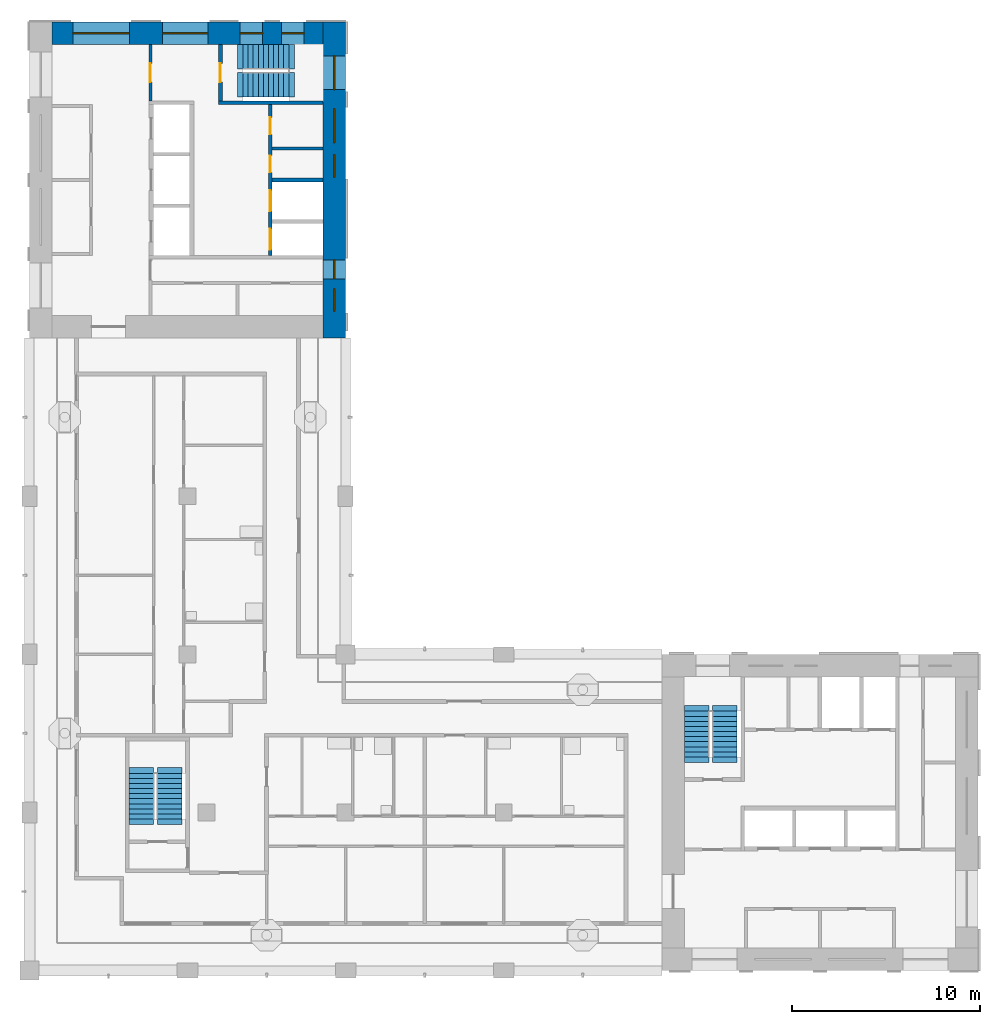
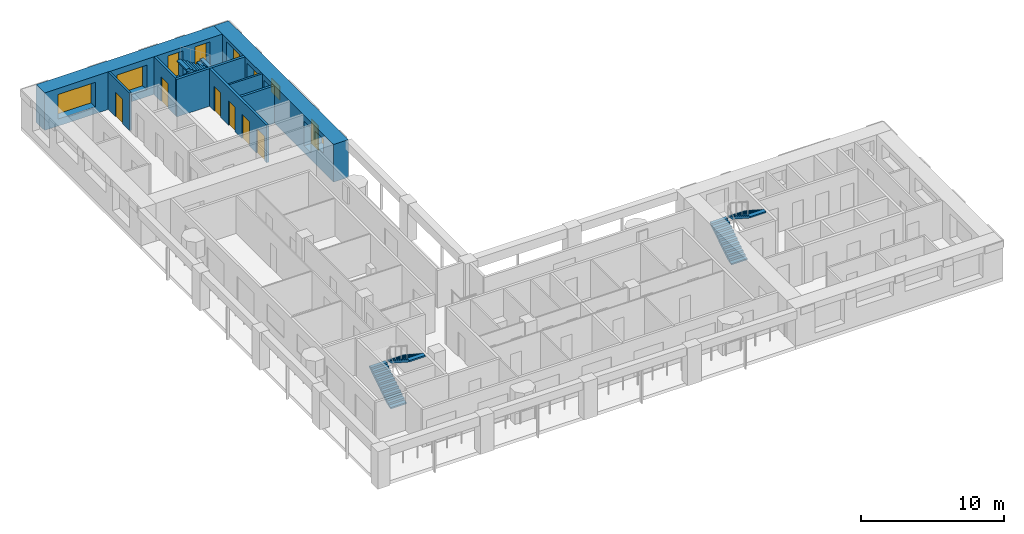
# One storey, part 6 of 11: 9 windows, 8 walls, 6 doors, 6 stair flights, 15 openings, 3 elements without a shape of their own.
"""IFC4 building model written with IfcOpenShell, lengths in metres."""

from ifc_helpers import new_model, si_unit, direction, frame, frame_2d, origin, place, context, subcontext, project, spatial, polyline, rectangle, outline, extrude, material, layer, layer_set, type_object, element, fill, aggregate, save


model = new_model("IFC4")

# Units and contexts
model_context = context("Model", 3, precision=1e-05, world=origin(), true_north=direction((0.0, 1.0)))
body_context = subcontext(model_context, "Body", "Model", "MODEL_VIEW")
ifc_project = project(units=[si_unit("LENGTHUNIT", "METRE"), si_unit("AREAUNIT", "SQUARE_METRE"), si_unit("VOLUMEUNIT", "CUBIC_METRE"), si_unit("PLANEANGLEUNIT", "RADIAN"), si_unit("MASSUNIT", "GRAM", prefix="KILO")], contexts=[model_context])

# Site, building, storey
site_placement = place(None, origin())
site = spatial("IfcSite", under=ifc_project, at=site_placement, CompositionType="ELEMENT")
building_placement = place(site_placement, origin())
building = spatial("IfcBuilding", under=site, at=building_placement, Name="Vermilion Gate Residences", CompositionType="ELEMENT")
storey_placement = place(building_placement, frame((0.0, 0.0, 256.199951171875)))
storey = spatial("IfcBuildingStorey", under=building, at=storey_placement, Name="L67", CompositionType="ELEMENT", Elevation=256.199951171875)

# Wall
ifc_material_1 = material(Name="Masonry blockwork", Category="masonry")
ifc_layer_1 = layer(ifc_material_1, 0.14990234375)
ifc_layer_set_1 = layer_set([ifc_layer_1], Name="BLOCKWORK PARTITION 150 EI 120")
wall_type_1 = type_object("IfcWallType", Name="BLOCKWORK PARTITION 150 EI 120", PredefinedType="PARTITIONING", material=ifc_layer_set_1)
wall_1_placement = place(storey_placement, frame((21.300048828125, 52.074951171875, 0.0), z_axis=(0.0, 0.0, 1.0), x_axis=(1.0, 0.0, 0.0)))
element("IfcWall", 1, at=wall_1_placement, inside=storey, type_object=wall_type_1, Name="Core room partition B67-NR-P0", PredefinedType="PARTITIONING", context=body_context, shape_type="SweptSolid", body=[
    extrude(rectangle(XDim=2.699951171875, YDim=0.14990234375, at=frame_2d((1.35009765625, 0.0))), origin(), (0.0, 0.0, 1.0), 3.219970703125),
])

# Wall, opening, door
wall_2_placement = place(storey_placement, frame((14.824951171875, 57.60009765625, 0.0), z_axis=(0.0, 0.0, 1.0), x_axis=(0.0, -1.0, 0.0)))
wall_2 = element("IfcWall", 2, at=wall_2_placement, inside=storey, type_object=wall_type_1, Name="Core room partition B67-VW-S", PredefinedType="PARTITIONING", context=body_context, shape_type="SweptSolid", body=[
    extrude(rectangle(XDim=3.0, YDim=0.14990234375, at=frame_2d((1.5, 0.0))), origin(), (0.0, 0.0, 1.0), 3.219970703125),
])
opening_1_placement = place(wall_2_placement, frame((1.0, 0.0, 0.0)))
opening_1 = element("IfcOpeningElement", 3, at=opening_1_placement, cuts=wall_2, Name="Opening DK67111", PredefinedType="OPENING", context=body_context, shape_type="SweptSolid", body=[
    extrude(rectangle(XDim=1.0, YDim=2.10009765625, at=frame_2d((0.5, 1.050048828125))), frame((0.0, 0.0849609375, 0.0), z_axis=(0.0, -1.0, 0.0), x_axis=(1.0, 0.0, 0.0)), (0.0, 0.0, 1.0), 0.169921875),
])
ifc_material_2 = material(Name="Steel", Category="steel")
door_type_1 = type_object("IfcDoorType", Name="FIRE DOOR FD60 1000 X 2100", OperationType="SINGLE_SWING_LEFT", PredefinedType="DOOR", material=ifc_material_2)
door_1_placement = place(opening_1_placement, frame((1.0, 0.0, 0.0), z_axis=(0.0, 0.0, 1.0), x_axis=(-1.0, 0.0, 0.0)))
door_1 = element("IfcDoor", 4, at=door_1_placement, inside=storey, type_object=door_type_1, Name="Stair vestibule door B67", OperationType="SINGLE_SWING_RIGHT", OverallHeight=2.10009765625, OverallWidth=1.0, PredefinedType="DOOR", context=body_context, shape_type="SweptSolid", body=[
    extrude(rectangle(XDim=1.0, YDim=2.10009765625, at=frame_2d((0.5, 1.050048828125))), frame((0.0, 0.02490234375, 0.0), z_axis=(0.0, -1.0, 0.0), x_axis=(1.0, 0.0, 0.0)), (0.0, 0.0, 1.0), 0.050048828125),
])
fill(opening_1, door_1)

# Wall
ifc_material_3 = material(Name="Concrete C60", Category="concrete")
ifc_layer_2 = layer(ifc_material_3, 0.199951171875)
ifc_layer_set_2 = layer_set([ifc_layer_2], Name="RC CORE INTERNAL WALL 200 C60")
wall_type_2 = type_object("IfcWallType", Name="RC CORE INTERNAL WALL 200 C60", PredefinedType="SHEAR", material=ifc_layer_set_2)
wall_3_placement = place(storey_placement, frame((21.300048828125, 50.39990234375, 0.0), z_axis=(0.0, 0.0, 1.0), x_axis=(1.0, 0.0, 0.0)))
element("IfcWall", 5, at=wall_3_placement, inside=storey, type_object=wall_type_2, Name="Core internal wall B67-FF-D0", PredefinedType="SHEAR", context=body_context, shape_type="SweptSolid", body=[
    extrude(rectangle(XDim=2.699951171875, YDim=0.199951171875, at=frame_2d((1.35009765625, 0.0))), origin(), (0.0, 0.0, 1.0), 3.219970703125),
])

# Wall, openings, doors
wall_4_placement = place(storey_placement, frame((21.199951171875, 54.39990234375, 0.0), z_axis=(0.0, 0.0, 1.0), x_axis=(0.0, -1.0, 0.0)))
wall_4 = element("IfcWall", 6, at=wall_4_placement, inside=storey, type_object=wall_type_2, Name="Core internal wall B67-FF-F", PredefinedType="SHEAR", context=body_context, shape_type="SweptSolid", body=[
    extrude(rectangle(XDim=8.0, YDim=0.199951171875, at=frame_2d((4.0, 0.0))), origin(), (0.0, 0.0, 1.0), 3.219970703125),
])
opening_2_placement = place(wall_4_placement, frame((0.675048828125, 0.0, 0.0)))
opening_2 = element("IfcOpeningElement", 7, at=opening_2_placement, cuts=wall_4, Name="Opening DK67107", PredefinedType="OPENING", context=body_context, shape_type="SweptSolid", body=[
    extrude(rectangle(XDim=0.89990234375, YDim=2.10009765625, at=frame_2d((0.449951171875, 1.050048828125))), frame((0.0, 0.10986328125, 0.0), z_axis=(0.0, -1.0, 0.0), x_axis=(1.0, 0.0, 0.0)), (0.0, 0.0, 1.0), 0.219970703125),
])
opening_3_placement = place(wall_4_placement, frame((2.699951171875, 0.0, 0.0)))
opening_3 = element("IfcOpeningElement", 8, at=opening_3_placement, cuts=wall_4, Name="Opening DK67108", PredefinedType="OPENING", context=body_context, shape_type="SweptSolid", body=[
    extrude(rectangle(XDim=0.89990234375, YDim=2.10009765625, at=frame_2d((0.449951171875, 1.050048828125))), frame((0.0, 0.10986328125, 0.0), z_axis=(0.0, -1.0, 0.0), x_axis=(1.0, 0.0, 0.0)), (0.0, 0.0, 1.0), 0.219970703125),
])
opening_4_placement = place(wall_4_placement, frame((4.550048828125, 0.0, 0.0)))
opening_4 = element("IfcOpeningElement", 9, at=opening_4_placement, cuts=wall_4, Name="Opening LD", PredefinedType="OPENING", context=body_context, shape_type="SweptSolid", body=[
    extrude(rectangle(XDim=1.10009765625, YDim=2.10009765625, at=frame_2d((0.550048828125, 1.050048828125))), frame((0.0, 0.10986328125, 0.0), z_axis=(0.0, -1.0, 0.0), x_axis=(1.0, 0.0, 0.0)), (0.0, 0.0, 1.0), 0.219970703125),
])
opening_5_placement = place(wall_4_placement, frame((6.60009765625, 0.0, 0.0)))
opening_5 = element("IfcOpeningElement", 10, at=opening_5_placement, cuts=wall_4, Name="Opening LD", PredefinedType="OPENING", context=body_context, shape_type="SweptSolid", body=[
    extrude(rectangle(XDim=1.10009765625, YDim=2.10009765625, at=frame_2d((0.550048828125, 1.050048828125))), frame((0.0, 0.10986328125, 0.0), z_axis=(0.0, -1.0, 0.0), x_axis=(1.0, 0.0, 0.0)), (0.0, 0.0, 1.0), 0.219970703125),
])
ifc_material_4 = material(Name="Stainless steel", Category="steel")
door_type_2 = type_object("IfcDoorType", Name="LIFT LANDING DOOR E60 1100 X 2100", OperationType="DOUBLE_DOOR_SLIDING", PredefinedType="DOOR", material=ifc_material_4)
door_2_placement = place(opening_4_placement, origin())
door_2 = element("IfcDoor", 11, at=door_2_placement, inside=storey, type_object=door_type_2, Name="Lift landing door LFB1", OperationType="DOUBLE_DOOR_SLIDING", OverallHeight=2.10009765625, OverallWidth=1.10009765625, PredefinedType="DOOR", context=body_context, shape_type="SweptSolid", body=[
    extrude(rectangle(XDim=1.10009765625, YDim=2.10009765625, at=frame_2d((0.550048828125, 1.050048828125))), frame((0.0, 0.02490234375, 0.0), z_axis=(0.0, -1.0, 0.0), x_axis=(1.0, 0.0, 0.0)), (0.0, 0.0, 1.0), 0.050048828125),
])
fill(opening_4, door_2)
door_3_placement = place(opening_5_placement, origin())
door_3 = element("IfcDoor", 12, at=door_3_placement, inside=storey, type_object=door_type_2, Name="Lift landing door LCB1", OperationType="DOUBLE_DOOR_SLIDING", OverallHeight=2.10009765625, OverallWidth=1.10009765625, PredefinedType="DOOR", context=body_context, shape_type="SweptSolid", body=[
    extrude(rectangle(XDim=1.10009765625, YDim=2.10009765625, at=frame_2d((0.550048828125, 1.050048828125))), frame((0.0, 0.02490234375, 0.0), z_axis=(0.0, -1.0, 0.0), x_axis=(1.0, 0.0, 0.0)), (0.0, 0.0, 1.0), 0.050048828125),
])
fill(opening_5, door_3)
ifc_material_5 = material(Name="Steel", Category="steel")
door_type_3 = type_object("IfcDoorType", Name="SERVICE ROOM DOOR FD60 900 X 2100", OperationType="SINGLE_SWING_LEFT", PredefinedType="DOOR", material=ifc_material_5)
door_4_placement = place(opening_2_placement, origin())
door_4 = element("IfcDoor", 13, at=door_4_placement, inside=storey, type_object=door_type_3, Name="Parcel room B67", OperationType="SINGLE_SWING_RIGHT", OverallHeight=2.10009765625, OverallWidth=0.89990234375, PredefinedType="DOOR", context=body_context, shape_type="SweptSolid", body=[
    extrude(rectangle(XDim=0.89990234375, YDim=2.10009765625, at=frame_2d((0.449951171875, 1.050048828125))), frame((0.0, 0.02490234375, 0.0), z_axis=(0.0, -1.0, 0.0), x_axis=(1.0, 0.0, 0.0)), (0.0, 0.0, 1.0), 0.050048828125),
])
fill(opening_2, door_4)
door_5_placement = place(opening_3_placement, frame((0.89990234375, 0.0, 0.0), z_axis=(0.0, 0.0, 1.0), x_axis=(-1.0, 0.0, 0.0)))
door_5 = element("IfcDoor", 14, at=door_5_placement, inside=storey, type_object=door_type_3, Name="Electrical room B67", OperationType="SINGLE_SWING_RIGHT", OverallHeight=2.10009765625, OverallWidth=0.89990234375, PredefinedType="DOOR", context=body_context, shape_type="SweptSolid", body=[
    extrude(rectangle(XDim=0.89990234375, YDim=2.10009765625, at=frame_2d((0.449951171875, 1.050048828125))), frame((0.0, 0.02490234375, 0.0), z_axis=(0.0, -1.0, 0.0), x_axis=(1.0, 0.0, 0.0)), (0.0, 0.0, 1.0), 0.050048828125),
])
fill(opening_3, door_5)

# Wall
wall_5_placement = place(storey_placement, frame((18.449951171875, 54.5, 0.0), z_axis=(0.0, 0.0, 1.0), x_axis=(1.0, 0.0, 0.0)))
element("IfcWall", 15, at=wall_5_placement, inside=storey, type_object=wall_type_2, Name="Core internal wall B67-WDIV2", PredefinedType="SHEAR", context=body_context, shape_type="SweptSolid", body=[
    extrude(rectangle(XDim=5.550048828125, YDim=0.199951171875, at=frame_2d((2.77490234375, 0.0))), origin(), (0.0, 0.0, 1.0), 3.219970703125),
])

# Wall, opening, door
wall_6_placement = place(storey_placement, frame((18.550048828125, 57.60009765625, 0.0), z_axis=(0.0, 0.0, 1.0), x_axis=(0.0, -1.0, 0.0)))
wall_6 = element("IfcWall", 16, at=wall_6_placement, inside=storey, type_object=wall_type_2, Name="Core internal wall B67-STW-S", PredefinedType="SHEAR", context=body_context, shape_type="SweptSolid", body=[
    extrude(rectangle(XDim=3.0, YDim=0.199951171875, at=frame_2d((1.5, 0.0))), origin(), (0.0, 0.0, 1.0), 3.219970703125),
])
opening_6_placement = place(wall_6_placement, frame((1.0, 0.0, 0.0)))
opening_6 = element("IfcOpeningElement", 17, at=opening_6_placement, cuts=wall_6, Name="Opening DK67112", PredefinedType="OPENING", context=body_context, shape_type="SweptSolid", body=[
    extrude(rectangle(XDim=1.0, YDim=2.10009765625, at=frame_2d((0.5, 1.050048828125))), frame((0.0, 0.10986328125, 0.0), z_axis=(0.0, -1.0, 0.0), x_axis=(1.0, 0.0, 0.0)), (0.0, 0.0, 1.0), 0.219970703125),
])
door_6_placement = place(opening_6_placement, origin())
door_6 = element("IfcDoor", 18, at=door_6_placement, inside=storey, type_object=door_type_1, Name="Stair door B67", OperationType="SINGLE_SWING_LEFT", OverallHeight=2.10009765625, OverallWidth=1.0, PredefinedType="DOOR", context=body_context, shape_type="SweptSolid", body=[
    extrude(rectangle(XDim=1.0, YDim=2.10009765625, at=frame_2d((0.5, 1.050048828125))), frame((0.0, 0.02490234375, 0.0), z_axis=(0.0, -1.0, 0.0), x_axis=(1.0, 0.0, 0.0)), (0.0, 0.0, 1.0), 0.050048828125),
])
fill(opening_6, door_6)

# Wall, openings, windows
ifc_material_6 = material(Name="Concrete C50 red-oxide pigmented", Category="concrete")
ifc_layer_3 = layer(ifc_material_6, 1.199951171875)
ifc_layer_set_3 = layer_set([ifc_layer_3], Name="RC CORE WALL 1200 C50 RED OXIDE")
wall_type_3 = type_object("IfcWallType", Name="RC CORE WALL 1200 C50 RED OXIDE", PredefinedType="SHEAR", material=ifc_layer_set_3)
wall_7_placement = place(storey_placement, frame((24.60009765625, 58.800048828125, 0.0), z_axis=(0.0, 0.0, 1.0), x_axis=(0.0, -1.0, 0.0)))
wall_7 = element("IfcWall", 19, at=wall_7_placement, inside=storey, type_object=wall_type_3, Name="Core wall B67-OUT-B1", PredefinedType="SHEAR", context=body_context, shape_type="SweptSolid", body=[
    extrude(rectangle(XDim=16.800048828125, YDim=1.199951171875, at=frame_2d((8.39990234375, 0.0))), origin(), (0.0, 0.0, 1.0), 3.219970703125),
])
opening_7_placement = place(wall_7_placement, frame((1.800048828125, 0.0, 0.5)))
opening_7 = element("IfcOpeningElement", 20, at=opening_7_placement, cuts=wall_7, Name="Opening WKB6705", PredefinedType="OPENING", context=body_context, shape_type="SweptSolid", body=[
    extrude(rectangle(XDim=1.800048828125, YDim=2.39990234375, at=frame_2d((0.89990234375, 1.199951171875))), frame((0.0, 0.60986328125, 0.0), z_axis=(0.0, -1.0, 0.0), x_axis=(1.0, 0.0, 0.0)), (0.0, 0.0, 1.0), 1.219970703125),
])
opening_8_placement = place(wall_7_placement, frame((4.625, 0.0, 1.60009765625)))
opening_8 = element("IfcOpeningElement", 21, at=opening_8_placement, cuts=wall_7, Name="Opening WKB6706", PredefinedType="OPENING", context=body_context, shape_type="SweptSolid", body=[
    extrude(rectangle(XDim=1.800048828125, YDim=1.199951171875, at=frame_2d((0.89990234375, 0.60009765625))), frame((0.0, 0.60986328125, 0.0), z_axis=(0.0, -1.0, 0.0), x_axis=(1.0, 0.0, 0.0)), (0.0, 0.0, 1.0), 1.219970703125),
])
opening_9_placement = place(wall_7_placement, frame((7.050048828125, 0.0, 1.60009765625)))
opening_9 = element("IfcOpeningElement", 22, at=opening_9_placement, cuts=wall_7, Name="Opening WKB6707", PredefinedType="OPENING", context=body_context, shape_type="SweptSolid", body=[
    extrude(rectangle(XDim=1.199951171875, YDim=1.199951171875, at=frame_2d((0.60009765625, 0.60009765625))), frame((0.0, 0.60986328125, 0.0), z_axis=(0.0, -1.0, 0.0), x_axis=(1.0, 0.0, 0.0)), (0.0, 0.0, 1.0), 1.219970703125),
])
opening_10_placement = place(wall_7_placement, frame((12.64990234375, 0.0, 0.60009765625)))
opening_10 = element("IfcOpeningElement", 23, at=opening_10_placement, cuts=wall_7, Name="Opening WKB6708", PredefinedType="OPENING", context=body_context, shape_type="SweptSolid", body=[
    extrude(rectangle(XDim=1.0, YDim=2.10009765625, at=frame_2d((0.5, 1.050048828125))), frame((0.0, 0.60986328125, 0.0), z_axis=(0.0, -1.0, 0.0), x_axis=(1.0, 0.0, 0.0)), (0.0, 0.0, 1.0), 1.219970703125),
])
opening_11_placement = place(wall_7_placement, frame((14.175048828125, 0.0, 1.60009765625)))
opening_11 = element("IfcOpeningElement", 24, at=opening_11_placement, cuts=wall_7, Name="Opening WKB6709", PredefinedType="OPENING", context=body_context, shape_type="SweptSolid", body=[
    extrude(rectangle(XDim=1.199951171875, YDim=1.199951171875, at=frame_2d((0.60009765625, 0.60009765625))), frame((0.0, 0.60986328125, 0.0), z_axis=(0.0, -1.0, 0.0), x_axis=(1.0, 0.0, 0.0)), (0.0, 0.0, 1.0), 1.219970703125),
])
ifc_material_7 = material(Name="Aluminium and clear glass", Category="aluminium")
window_type_1 = type_object("IfcWindowType", Name="CORE CORRIDOR WINDOW 1000 X 2100", PartitioningType="SINGLE_PANEL", PredefinedType="WINDOW", material=ifc_material_7)
window_1_placement = place(opening_10_placement, origin())
window_1 = element("IfcWindow", 25, at=window_1_placement, inside=storey, type_object=window_type_1, Name="Core corridor window", OverallHeight=2.10009765625, OverallWidth=1.0, PartitioningType="SINGLE_PANEL", PredefinedType="WINDOW", context=body_context, shape_type="SweptSolid", body=[
    extrude(rectangle(XDim=1.0, YDim=2.10009765625, at=frame_2d((0.5, 1.050048828125))), frame((0.0, 0.030029296875, 0.0), z_axis=(0.0, -1.0, 0.0), x_axis=(1.0, 0.0, 0.0)), (0.0, 0.0, 1.0), 0.06005859375),
])
fill(opening_10, window_1)
ifc_material_8 = material(Name="Aluminium frame with louvre blades", Category="aluminium")
window_type_2 = type_object("IfcWindowType", Name="CORE LOUVRE 1200 X 1200", PartitioningType="SINGLE_PANEL", PredefinedType="WINDOW", material=ifc_material_8)
window_2_placement = place(opening_9_placement, origin())
window_2 = element("IfcWindow", 26, at=window_2_placement, inside=storey, type_object=window_type_2, Name="Core louvre", OverallHeight=1.199951171875, OverallWidth=1.199951171875, PartitioningType="SINGLE_PANEL", PredefinedType="WINDOW", context=body_context, shape_type="SweptSolid", body=[
    extrude(rectangle(XDim=1.199951171875, YDim=1.199951171875, at=frame_2d((0.60009765625, 0.60009765625))), frame((0.0, 0.030029296875, 0.0), z_axis=(0.0, -1.0, 0.0), x_axis=(1.0, 0.0, 0.0)), (0.0, 0.0, 1.0), 0.06005859375),
])
fill(opening_9, window_2)
window_3_placement = place(opening_11_placement, origin())
window_3 = element("IfcWindow", 27, at=window_3_placement, inside=storey, type_object=window_type_2, Name="Core louvre", OverallHeight=1.199951171875, OverallWidth=1.199951171875, PartitioningType="SINGLE_PANEL", PredefinedType="WINDOW", context=body_context, shape_type="SweptSolid", body=[
    extrude(rectangle(XDim=1.199951171875, YDim=1.199951171875, at=frame_2d((0.60009765625, 0.60009765625))), frame((0.0, 0.030029296875, 0.0), z_axis=(0.0, -1.0, 0.0), x_axis=(1.0, 0.0, 0.0)), (0.0, 0.0, 1.0), 0.06005859375),
])
fill(opening_11, window_3)
ifc_material_9 = material(Name="Aluminium frame with louvre blades", Category="aluminium")
window_type_3 = type_object("IfcWindowType", Name="CORE LOUVRE 1800 X 1200", PartitioningType="SINGLE_PANEL", PredefinedType="WINDOW", material=ifc_material_9)
window_4_placement = place(opening_8_placement, origin())
window_4 = element("IfcWindow", 28, at=window_4_placement, inside=storey, type_object=window_type_3, Name="Core louvre", OverallHeight=1.199951171875, OverallWidth=1.800048828125, PartitioningType="SINGLE_PANEL", PredefinedType="WINDOW", context=body_context, shape_type="SweptSolid", body=[
    extrude(rectangle(XDim=1.800048828125, YDim=1.199951171875, at=frame_2d((0.89990234375, 0.60009765625))), frame((0.0, 0.030029296875, 0.0), z_axis=(0.0, -1.0, 0.0), x_axis=(1.0, 0.0, 0.0)), (0.0, 0.0, 1.0), 0.06005859375),
])
fill(opening_8, window_4)
ifc_material_10 = material(Name="Aluminium and clear glass", Category="aluminium")
window_type_4 = type_object("IfcWindowType", Name="CORE STAIR WINDOW 1800 X 2400", PartitioningType="SINGLE_PANEL", PredefinedType="WINDOW", material=ifc_material_10)
window_5_placement = place(opening_7_placement, origin())
window_5 = element("IfcWindow", 29, at=window_5_placement, inside=storey, type_object=window_type_4, Name="Core stair window", OverallHeight=2.39990234375, OverallWidth=1.800048828125, PartitioningType="SINGLE_PANEL", PredefinedType="WINDOW", context=body_context, shape_type="SweptSolid", body=[
    extrude(rectangle(XDim=1.800048828125, YDim=2.39990234375, at=frame_2d((0.89990234375, 1.199951171875))), frame((0.0, 0.030029296875, 0.0), z_axis=(0.0, -1.0, 0.0), x_axis=(1.0, 0.0, 0.0)), (0.0, 0.0, 1.0), 0.06005859375),
])
fill(opening_7, window_5)

wall_8_placement = place(storey_placement, frame((9.60009765625, 58.199951171875, 0.0), z_axis=(0.0, 0.0, 1.0), x_axis=(1.0, 0.0, 0.0)))
wall_8 = element("IfcWall", 30, at=wall_8_placement, inside=storey, type_object=wall_type_3, Name="Core wall B67-OUT-FR", PredefinedType="SHEAR", context=body_context, shape_type="SweptSolid", body=[
    extrude(rectangle(XDim=14.39990234375, YDim=1.199951171875, at=frame_2d((7.199951171875, 0.0))), origin(), (0.0, 0.0, 1.0), 3.219970703125),
])
opening_12_placement = place(wall_8_placement, frame((1.10498046875, 0.0, 0.60009765625)))
opening_12 = element("IfcOpeningElement", 31, at=opening_12_placement, cuts=wall_8, Name="Opening WKB6710", PredefinedType="OPENING", context=body_context, shape_type="SweptSolid", body=[
    extrude(rectangle(XDim=3.0, YDim=2.10009765625, at=frame_2d((1.5, 1.050048828125))), frame((0.0, 0.60986328125, 0.0), z_axis=(0.0, -1.0, 0.0), x_axis=(1.0, 0.0, 0.0)), (0.0, 0.0, 1.0), 1.219970703125),
])
opening_13_placement = place(wall_8_placement, frame((5.875, 0.0, 0.60009765625)))
opening_13 = element("IfcOpeningElement", 32, at=opening_13_placement, cuts=wall_8, Name="Opening WKB6711", PredefinedType="OPENING", context=body_context, shape_type="SweptSolid", body=[
    extrude(rectangle(XDim=2.39990234375, YDim=2.10009765625, at=frame_2d((1.199951171875, 1.050048828125))), frame((0.0, 0.60986328125, 0.0), z_axis=(0.0, -1.0, 0.0), x_axis=(1.0, 0.0, 0.0)), (0.0, 0.0, 1.0), 1.219970703125),
])
opening_14_placement = place(wall_8_placement, frame((9.993408203125, 0.0, 0.5)))
opening_14 = element("IfcOpeningElement", 33, at=opening_14_placement, cuts=wall_8, Name="Opening WKB6712", PredefinedType="OPENING", context=body_context, shape_type="SweptSolid", body=[
    extrude(rectangle(XDim=1.199951171875, YDim=2.39990234375, at=frame_2d((0.60009765625, 1.199951171875))), frame((0.0, 0.60986328125, 0.0), z_axis=(0.0, -1.0, 0.0), x_axis=(1.0, 0.0, 0.0)), (0.0, 0.0, 1.0), 1.219970703125),
])
opening_15_placement = place(wall_8_placement, frame((12.19677734375, 0.0, 0.5)))
opening_15 = element("IfcOpeningElement", 34, at=opening_15_placement, cuts=wall_8, Name="Opening WKB6713", PredefinedType="OPENING", context=body_context, shape_type="SweptSolid", body=[
    extrude(rectangle(XDim=1.199951171875, YDim=2.39990234375, at=frame_2d((0.60009765625, 1.199951171875))), frame((0.0, 0.60986328125, 0.0), z_axis=(0.0, -1.0, 0.0), x_axis=(1.0, 0.0, 0.0)), (0.0, 0.0, 1.0), 1.219970703125),
])
ifc_material_11 = material(Name="Aluminium and clear glass", Category="aluminium")
window_type_5 = type_object("IfcWindowType", Name="CORE LOBBY WINDOW 2400 X 2100", PartitioningType="SINGLE_PANEL", PredefinedType="WINDOW", material=ifc_material_11)
window_6_placement = place(opening_13_placement, origin())
window_6 = element("IfcWindow", 35, at=window_6_placement, inside=storey, type_object=window_type_5, Name="Core lobby window", OverallHeight=2.10009765625, OverallWidth=2.39990234375, PartitioningType="SINGLE_PANEL", PredefinedType="WINDOW", context=body_context, shape_type="SweptSolid", body=[
    extrude(rectangle(XDim=2.39990234375, YDim=2.10009765625, at=frame_2d((1.199951171875, 1.050048828125))), frame((0.0, 0.030029296875, 0.0), z_axis=(0.0, -1.0, 0.0), x_axis=(1.0, 0.0, 0.0)), (0.0, 0.0, 1.0), 0.06005859375),
])
fill(opening_13, window_6)
ifc_material_12 = material(Name="Aluminium and clear glass", Category="aluminium")
window_type_6 = type_object("IfcWindowType", Name="CORE LOBBY WINDOW 3000 X 2100", PartitioningType="SINGLE_PANEL", PredefinedType="WINDOW", material=ifc_material_12)
window_7_placement = place(opening_12_placement, origin())
window_7 = element("IfcWindow", 36, at=window_7_placement, inside=storey, type_object=window_type_6, Name="Core lobby window", OverallHeight=2.10009765625, OverallWidth=3.0, PartitioningType="SINGLE_PANEL", PredefinedType="WINDOW", context=body_context, shape_type="SweptSolid", body=[
    extrude(rectangle(XDim=3.0, YDim=2.10009765625, at=frame_2d((1.5, 1.050048828125))), frame((0.0, 0.030029296875, 0.0), z_axis=(0.0, -1.0, 0.0), x_axis=(1.0, 0.0, 0.0)), (0.0, 0.0, 1.0), 0.06005859375),
])
fill(opening_12, window_7)
ifc_material_13 = material(Name="Aluminium and clear glass", Category="aluminium")
window_type_7 = type_object("IfcWindowType", Name="CORE STAIR WINDOW 1200 X 2400", PartitioningType="SINGLE_PANEL", PredefinedType="WINDOW", material=ifc_material_13)
window_8_placement = place(opening_14_placement, origin())
window_8 = element("IfcWindow", 37, at=window_8_placement, inside=storey, type_object=window_type_7, Name="Core stair window", OverallHeight=2.39990234375, OverallWidth=1.199951171875, PartitioningType="SINGLE_PANEL", PredefinedType="WINDOW", context=body_context, shape_type="SweptSolid", body=[
    extrude(rectangle(XDim=1.199951171875, YDim=2.39990234375, at=frame_2d((0.60009765625, 1.199951171875))), frame((0.0, 0.030029296875, 0.0), z_axis=(0.0, -1.0, 0.0), x_axis=(1.0, 0.0, 0.0)), (0.0, 0.0, 1.0), 0.06005859375),
])
fill(opening_14, window_8)
window_9_placement = place(opening_15_placement, origin())
window_9 = element("IfcWindow", 38, at=window_9_placement, inside=storey, type_object=window_type_7, Name="Core stair window", OverallHeight=2.39990234375, OverallWidth=1.199951171875, PartitioningType="SINGLE_PANEL", PredefinedType="WINDOW", context=body_context, shape_type="SweptSolid", body=[
    extrude(rectangle(XDim=1.199951171875, YDim=2.39990234375, at=frame_2d((0.60009765625, 1.199951171875))), frame((0.0, 0.030029296875, 0.0), z_axis=(0.0, -1.0, 0.0), x_axis=(1.0, 0.0, 0.0)), (0.0, 0.0, 1.0), 0.06005859375),
])
fill(opening_15, window_9)

# Stair, stair flights
ifc_material_14 = material(Name="Concrete C50", Category="concrete")
stair_type = type_object("IfcStairType", Name="SPECIAL ESCAPE STAIR 1300", PredefinedType="HALF_TURN_STAIR", material=ifc_material_14)
stair_1_placement = place(storey_placement, origin())
stair_1 = element("IfcStair", 39, at=stair_1_placement, inside=storey, type_object=stair_type, Name="Special escape stair STA1-67", PredefinedType="HALF_TURN_STAIR")
ifc_material_15 = material(Name="Concrete C50", Category="concrete")
stair_flight_type = type_object("IfcStairFlightType", Name="STAIR FLIGHT 1300 RC C50", PredefinedType="STRAIGHT", material=ifc_material_15)
stair_flight_1_placement = place(storey_placement, frame((43.85009765625, 19.75, 0.0), z_axis=(0.0, 0.0, 1.0), x_axis=(0.0, 1.0, 0.0)))
stair_flight_1 = element("IfcStairFlight", 40, at=stair_flight_1_placement, type_object=stair_flight_type, Name="STA1-67 flight 1", NumberOfRisers=10, NumberOfTreads=9, PredefinedType="STRAIGHT", RiserHeight=0.175, TreadLength=0.27, context=body_context, shape_type="SweptSolid", body=[
    extrude(outline(polyline([(-0.300048828125, -0.14990234375), (-0.300048828125, -0.030029296875), (0.0, 0.0), (0.0, 0.175048828125), (0.27001953125, 0.175048828125), (0.27001953125, 0.35009765625), (0.5400390625, 0.35009765625), (0.5400390625, 0.52490234375), (0.81005859375, 0.52490234375), (0.81005859375, 0.699951171875), (1.080078125, 0.699951171875), (1.080078125, 0.875), (1.35009765625, 0.875), (1.35009765625, 1.050048828125), (1.6201171875, 1.050048828125), (1.6201171875, 1.22509765625), (1.889892578125, 1.22509765625), (1.889892578125, 1.39990234375), (2.159912109375, 1.39990234375), (2.159912109375, 1.574951171875), (2.429931640625, 1.574951171875), (2.429931640625, 1.75), (2.72998046875, 1.719970703125), (2.72998046875, 1.60009765625), (2.429931640625, 1.396484375), (0.275634765625, 0.0), (-0.300048828125, -0.14990234375)])), frame((0.0, 0.64990234375, 0.0), z_axis=(0.0, -1.0, 0.0), x_axis=(1.0, 0.0, 0.0)), (0.0, 0.0, 1.0), 1.300048828125),
])
stair_flight_2_placement = place(storey_placement, frame((45.35009765625, 22.179931640625, 1.75), z_axis=(0.0, 0.0, 1.0), x_axis=(0.0, -1.0, 0.0)))
stair_flight_2 = element("IfcStairFlight", 41, at=stair_flight_2_placement, type_object=stair_flight_type, Name="STA1-67 flight 2", NumberOfRisers=10, NumberOfTreads=9, PredefinedType="STRAIGHT", RiserHeight=0.175, TreadLength=0.27, context=body_context, shape_type="SweptSolid", body=[
    extrude(outline(polyline([(-0.300048828125, -0.14990234375), (-0.300048828125, -0.030029296875), (0.0, 0.0), (0.0, 0.175048828125), (0.27001953125, 0.175048828125), (0.27001953125, 0.35009765625), (0.5400390625, 0.35009765625), (0.5400390625, 0.52490234375), (0.81005859375, 0.52490234375), (0.81005859375, 0.699951171875), (1.080078125, 0.699951171875), (1.080078125, 0.875), (1.35009765625, 0.875), (1.35009765625, 1.050048828125), (1.6201171875, 1.050048828125), (1.6201171875, 1.22509765625), (1.889892578125, 1.22509765625), (1.889892578125, 1.39990234375), (2.159912109375, 1.39990234375), (2.159912109375, 1.574951171875), (2.429931640625, 1.574951171875), (2.429931640625, 1.75), (2.72998046875, 1.719970703125), (2.72998046875, 1.60009765625), (2.429931640625, 1.396484375), (0.275634765625, 0.0), (-0.300048828125, -0.14990234375)])), frame((0.0, 0.64990234375, 0.0), z_axis=(0.0, -1.0, 0.0), x_axis=(1.0, 0.0, 0.0)), (0.0, 0.0, 1.0), 1.300048828125),
])
aggregate(stair_1, [stair_flight_1, stair_flight_2])

stair_2_placement = place(storey_placement, origin())
stair_2 = element("IfcStair", 42, at=stair_2_placement, inside=storey, type_object=stair_type, Name="Special escape stair STB1-67", PredefinedType="HALF_TURN_STAIR")
stair_flight_3_placement = place(storey_placement, frame((19.75, 56.949951171875, 0.0), z_axis=(0.0, 0.0, 1.0), x_axis=(1.0, 0.0, 0.0)))
stair_flight_3 = element("IfcStairFlight", 43, at=stair_flight_3_placement, type_object=stair_flight_type, Name="STB1-67 flight 1", NumberOfRisers=10, NumberOfTreads=9, PredefinedType="STRAIGHT", RiserHeight=0.175, TreadLength=0.27, context=body_context, shape_type="SweptSolid", body=[
    extrude(outline(polyline([(-0.300048828125, -0.14990234375), (-0.300048828125, -0.030029296875), (0.0, 0.0), (0.0, 0.175048828125), (0.27001953125, 0.175048828125), (0.27001953125, 0.35009765625), (0.5400390625, 0.35009765625), (0.5400390625, 0.52490234375), (0.81005859375, 0.52490234375), (0.81005859375, 0.699951171875), (1.080078125, 0.699951171875), (1.080078125, 0.875), (1.35009765625, 0.875), (1.35009765625, 1.050048828125), (1.6201171875, 1.050048828125), (1.6201171875, 1.22509765625), (1.889892578125, 1.22509765625), (1.889892578125, 1.39990234375), (2.159912109375, 1.39990234375), (2.159912109375, 1.574951171875), (2.429931640625, 1.574951171875), (2.429931640625, 1.75), (2.72998046875, 1.719970703125), (2.72998046875, 1.60009765625), (2.429931640625, 1.396484375), (0.275634765625, 0.0), (-0.300048828125, -0.14990234375)])), frame((0.0, 0.64990234375, 0.0), z_axis=(0.0, -1.0, 0.0), x_axis=(1.0, 0.0, 0.0)), (0.0, 0.0, 1.0), 1.300048828125),
])
stair_flight_4_placement = place(storey_placement, frame((22.179931640625, 55.449951171875, 1.75), z_axis=(0.0, 0.0, 1.0), x_axis=(-1.0, 0.0, 0.0)))
stair_flight_4 = element("IfcStairFlight", 44, at=stair_flight_4_placement, type_object=stair_flight_type, Name="STB1-67 flight 2", NumberOfRisers=10, NumberOfTreads=9, PredefinedType="STRAIGHT", RiserHeight=0.175, TreadLength=0.27, context=body_context, shape_type="SweptSolid", body=[
    extrude(outline(polyline([(-0.300048828125, -0.14990234375), (-0.300048828125, -0.030029296875), (0.0, 0.0), (0.0, 0.175048828125), (0.27001953125, 0.175048828125), (0.27001953125, 0.35009765625), (0.5400390625, 0.35009765625), (0.5400390625, 0.52490234375), (0.81005859375, 0.52490234375), (0.81005859375, 0.699951171875), (1.080078125, 0.699951171875), (1.080078125, 0.875), (1.35009765625, 0.875), (1.35009765625, 1.050048828125), (1.6201171875, 1.050048828125), (1.6201171875, 1.22509765625), (1.889892578125, 1.22509765625), (1.889892578125, 1.39990234375), (2.159912109375, 1.39990234375), (2.159912109375, 1.574951171875), (2.429931640625, 1.574951171875), (2.429931640625, 1.75), (2.72998046875, 1.719970703125), (2.72998046875, 1.60009765625), (2.429931640625, 1.396484375), (0.275634765625, 0.0), (-0.300048828125, -0.14990234375)])), frame((0.0, 0.64990234375, 0.0), z_axis=(0.0, -1.0, 0.0), x_axis=(1.0, 0.0, 0.0)), (0.0, 0.0, 1.0), 1.300048828125),
])
aggregate(stair_2, [stair_flight_3, stair_flight_4])

stair_3_placement = place(storey_placement, origin())
stair_3 = element("IfcStair", 45, at=stair_3_placement, inside=storey, type_object=stair_type, Name="Special escape stair STC1-67", PredefinedType="HALF_TURN_STAIR")
stair_flight_5_placement = place(storey_placement, frame((14.35009765625, 16.449951171875, 0.0), z_axis=(0.0, 0.0, 1.0), x_axis=(0.0, 1.0, 0.0)))
stair_flight_5 = element("IfcStairFlight", 46, at=stair_flight_5_placement, type_object=stair_flight_type, Name="STC1-67 flight 1", NumberOfRisers=10, NumberOfTreads=9, PredefinedType="STRAIGHT", RiserHeight=0.175, TreadLength=0.27, context=body_context, shape_type="SweptSolid", body=[
    extrude(outline(polyline([(-0.300048828125, -0.14990234375), (-0.300048828125, -0.030029296875), (0.0, 0.0), (0.0, 0.175048828125), (0.27001953125, 0.175048828125), (0.27001953125, 0.35009765625), (0.5400390625, 0.35009765625), (0.5400390625, 0.52490234375), (0.81005859375, 0.52490234375), (0.81005859375, 0.699951171875), (1.080078125, 0.699951171875), (1.080078125, 0.875), (1.35009765625, 0.875), (1.35009765625, 1.050048828125), (1.6201171875, 1.050048828125), (1.6201171875, 1.22509765625), (1.889892578125, 1.22509765625), (1.889892578125, 1.39990234375), (2.159912109375, 1.39990234375), (2.159912109375, 1.574951171875), (2.429931640625, 1.574951171875), (2.429931640625, 1.75), (2.72998046875, 1.719970703125), (2.72998046875, 1.60009765625), (2.429931640625, 1.396484375), (0.275634765625, 0.0), (-0.300048828125, -0.14990234375)])), frame((0.0, 0.64990234375, 0.0), z_axis=(0.0, -1.0, 0.0), x_axis=(1.0, 0.0, 0.0)), (0.0, 0.0, 1.0), 1.300048828125),
])
stair_flight_6_placement = place(storey_placement, frame((15.85009765625, 18.8798828125, 1.75), z_axis=(0.0, 0.0, 1.0), x_axis=(0.0, -1.0, 0.0)))
stair_flight_6 = element("IfcStairFlight", 47, at=stair_flight_6_placement, type_object=stair_flight_type, Name="STC1-67 flight 2", NumberOfRisers=10, NumberOfTreads=9, PredefinedType="STRAIGHT", RiserHeight=0.175, TreadLength=0.27, context=body_context, shape_type="SweptSolid", body=[
    extrude(outline(polyline([(-0.300048828125, -0.14990234375), (-0.300048828125, -0.030029296875), (0.0, 0.0), (0.0, 0.175048828125), (0.27001953125, 0.175048828125), (0.27001953125, 0.35009765625), (0.5400390625, 0.35009765625), (0.5400390625, 0.52490234375), (0.81005859375, 0.52490234375), (0.81005859375, 0.699951171875), (1.080078125, 0.699951171875), (1.080078125, 0.875), (1.35009765625, 0.875), (1.35009765625, 1.050048828125), (1.6201171875, 1.050048828125), (1.6201171875, 1.22509765625), (1.889892578125, 1.22509765625), (1.889892578125, 1.39990234375), (2.159912109375, 1.39990234375), (2.159912109375, 1.574951171875), (2.429931640625, 1.574951171875), (2.429931640625, 1.75), (2.72998046875, 1.719970703125), (2.72998046875, 1.60009765625), (2.429931640625, 1.396484375), (0.275634765625, 0.0), (-0.300048828125, -0.14990234375)])), frame((0.0, 0.64990234375, 0.0), z_axis=(0.0, -1.0, 0.0), x_axis=(1.0, 0.0, 0.0)), (0.0, 0.0, 1.0), 1.300048828125),
])
aggregate(stair_3, [stair_flight_5, stair_flight_6])

save(model, "model.ifc")
